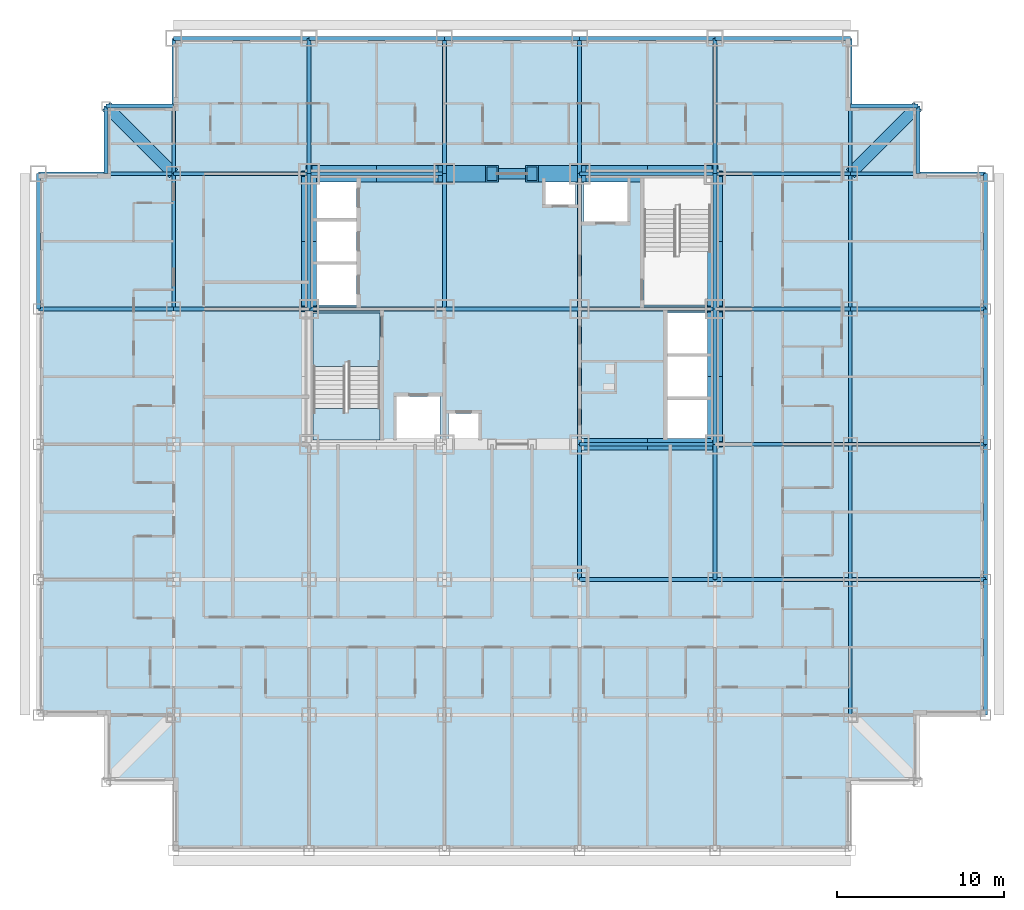
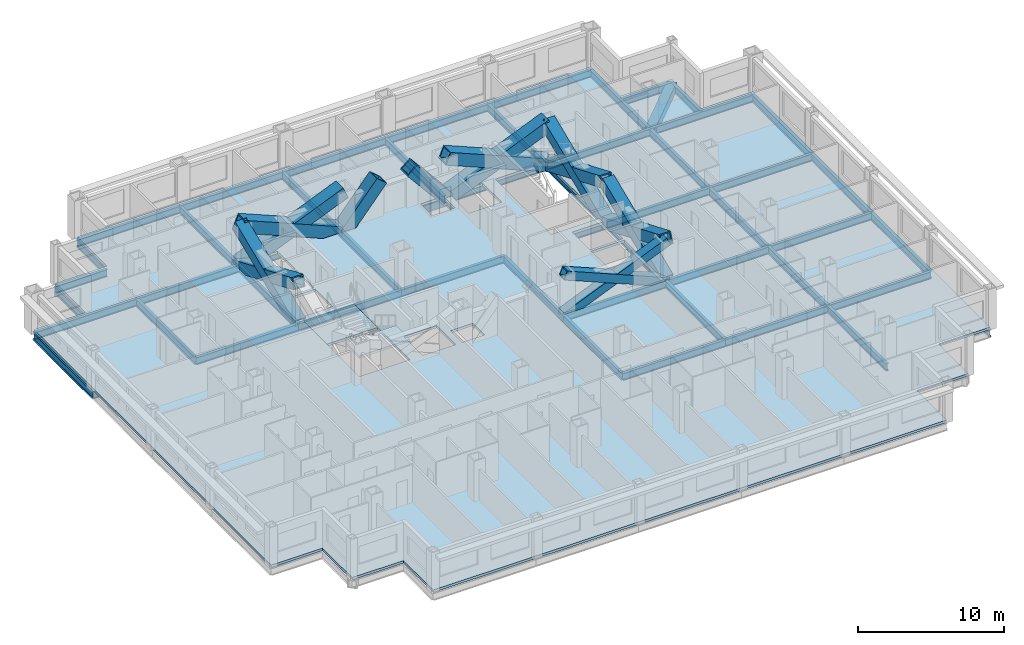
# One storey, part 2 of 13: 55 beams, 14 members, 3 slabs, 1 element without a shape of its own.
"""IFC4 building model written with IfcOpenShell, lengths in metres."""

from ifc_helpers import new_model, si_unit, direction, frame, origin, origin_2d, place, context, subcontext, project, spatial, polyline, hollow_rectangle, i_section, outline, extrude, material, layer, layer_set, material_profile, profile_set, type_object, element, aggregate, save


model = new_model("IFC4")

# Units and contexts
model_context = context("Model", 3, precision=1e-05, world=origin(), true_north=direction((0.0, 1.0)))
body_context = subcontext(model_context, "Body", "Model", "MODEL_VIEW")
ifc_project = project(units=[si_unit("LENGTHUNIT", "METRE"), si_unit("AREAUNIT", "SQUARE_METRE"), si_unit("VOLUMEUNIT", "CUBIC_METRE"), si_unit("PLANEANGLEUNIT", "RADIAN"), si_unit("MASSUNIT", "GRAM", prefix="KILO")], contexts=[model_context])

# Site, building, storey
site_placement = place(None, origin())
site = spatial("IfcSite", under=ifc_project, at=site_placement, CompositionType="ELEMENT")
building_placement = place(site_placement, origin())
building = spatial("IfcBuilding", under=site, at=building_placement, Name="Kopane Lantern Tower", CompositionType="ELEMENT")
storey_placement = place(building_placement, frame((0.0, 0.0, 63.60009765625)))
storey = spatial("IfcBuildingStorey", under=building, at=storey_placement, Name="L15", CompositionType="ELEMENT", Elevation=63.60009765625)

# Members
ifc_material_1 = material(Name="Steel S355JR", Category="steel")
ifc_material_profile_1 = material_profile(ifc_material_1, hollow_rectangle(XDim=1.0, YDim=1.0, WallThickness=0.10009765625, at=origin_2d()), Name="BOX 1000x1000x100")
ifc_profile_set_1 = profile_set([ifc_material_profile_1], Name="Steel S355JR")
member_type_1 = type_object("IfcMemberType", Name="BRACE BOX 1000x1000x100", PredefinedType="BRACE", material=ifc_profile_set_1)
for number, where, z_axis, x_axis, name in (
    (1, (16.199951171875, 40.5, -0.210205078125), (0.92205908274, 0.0, 0.387049154419), (0.0, 1.0, 0.0), "Core brace L15"),
    (2, (24.300048828125, 40.5, -0.210205078125), (-0.92205908274, 0.0, 0.387049154419), (0.0, -1.0, 0.0), "Core brace L15"),
):
    element("IfcMember", number, at=place(storey_placement, frame(where, z_axis=z_axis, x_axis=x_axis)), inside=storey, type_object=member_type_1, Name=name, PredefinedType="BRACE", context=body_context, shape_type="SweptSolid", body=[
        extrude(hollow_rectangle(XDim=1.0, YDim=1.0, WallThickness=0.10009765625, at=origin_2d()), origin(), (0.0, 0.0, 1.0), 8.784912109375),
    ])
for number, where, z_axis, x_axis, name in (
    (3, (24.300048828125, 40.5, -0.210205078125), (0.642363165114, 0.0, 0.766400394118), (0.0, 1.0, 0.0), "Core brace L15"),
    (4, (32.39990234375, 40.5, -0.210205078125), (-0.642363165114, 0.0, 0.766400394118), (0.0, -1.0, 0.0), "Core brace L15"),
):
    element("IfcMember", number, at=place(storey_placement, frame(where, z_axis=z_axis, x_axis=x_axis)), inside=storey, type_object=member_type_1, Name=name, PredefinedType="BRACE", context=body_context, shape_type="SweptSolid", body=[
        extrude(hollow_rectangle(XDim=1.0, YDim=1.0, WallThickness=0.10009765625, at=origin_2d()), origin(), (0.0, 0.0, 1.0), 4.4365234375),
    ])
for number, where, z_axis, x_axis, name in (
    (5, (32.39990234375, 40.5, -0.210205078125), (0.92205908274, 0.0, 0.387049154419), (0.0, 1.0, 0.0), "Core brace L15"),
    (6, (40.5, 40.5, -0.210205078125), (-0.92205908274, 0.0, 0.387049154419), (0.0, -1.0, 0.0), "Core brace L15"),
):
    element("IfcMember", number, at=place(storey_placement, frame(where, z_axis=z_axis, x_axis=x_axis)), inside=storey, type_object=member_type_1, Name=name, PredefinedType="BRACE", context=body_context, shape_type="SweptSolid", body=[
        extrude(hollow_rectangle(XDim=1.0, YDim=1.0, WallThickness=0.10009765625, at=origin_2d()), origin(), (0.0, 0.0, 1.0), 8.784912109375),
    ])
ifc_material_2 = material(Name="Steel S355JR", Category="steel")
ifc_material_profile_2 = material_profile(ifc_material_2, hollow_rectangle(XDim=0.699951171875, YDim=0.699951171875, WallThickness=0.06005859375, at=origin_2d()), Name="BOX 700x700x60")
ifc_profile_set_2 = profile_set([ifc_material_profile_2], Name="Steel S355JR")
member_type_2 = type_object("IfcMemberType", Name="BRACE BOX 700x700x60", PredefinedType="BRACE", material=ifc_profile_set_2)
for number, where, z_axis, x_axis, name in (
    (7, (32.39990234375, 24.300048828125, -0.210205078125), (0.92205908274, 0.0, 0.387049154419), (0.0, 1.0, 0.0), "Core brace L15"),
    (8, (40.5, 24.300048828125, -0.210205078125), (-0.92205908274, 0.0, 0.387049154419), (0.0, -1.0, 0.0), "Core brace L15"),
):
    element("IfcMember", number, at=place(storey_placement, frame(where, z_axis=z_axis, x_axis=x_axis)), inside=storey, type_object=member_type_2, Name=name, PredefinedType="BRACE", context=body_context, shape_type="SweptSolid", body=[
        extrude(hollow_rectangle(XDim=0.699951171875, YDim=0.699951171875, WallThickness=0.06005859375, at=origin_2d()), origin(), (0.0, 0.0, 1.0), 8.784912109375),
    ])
ifc_material_3 = material(Name="Steel S355JR", Category="steel")
ifc_material_profile_3 = material_profile(ifc_material_3, hollow_rectangle(XDim=0.89990234375, YDim=0.89990234375, WallThickness=0.090087890625, at=origin_2d()), Name="BOX 900x900x90")
ifc_profile_set_3 = profile_set([ifc_material_profile_3], Name="Steel S355JR")
member_type_3 = type_object("IfcMemberType", Name="BRACE BOX 900x900x90", PredefinedType="BRACE", material=ifc_profile_set_3)
for number, where, z_axis, x_axis, name in (
    (9, (16.199951171875, 32.39990234375, -0.210205078125), (0.0, 0.92205908274, 0.387049154419), (-1.0, 0.0, 0.0), "Core brace L15"),
    (10, (16.199951171875, 40.5, -0.210205078125), (0.0, -0.92205908274, 0.387049154419), (1.0, 0.0, 0.0), "Core brace L15"),
):
    element("IfcMember", number, at=place(storey_placement, frame(where, z_axis=z_axis, x_axis=x_axis)), inside=storey, type_object=member_type_3, Name=name, PredefinedType="BRACE", context=body_context, shape_type="SweptSolid", body=[
        extrude(hollow_rectangle(XDim=0.89990234375, YDim=0.89990234375, WallThickness=0.090087890625, at=origin_2d()), origin(), (0.0, 0.0, 1.0), 8.784912109375),
    ])
for number, where, z_axis, x_axis, name in (
    (11, (40.5, 24.300048828125, -0.210205078125), (0.0, 0.92205491925, 0.387059072864), (-1.0, 0.0, 0.0), "Core brace L15"),
    (12, (40.5, 32.39990234375, -0.210205078125), (0.0, -0.92205491925, 0.387059072864), (1.0, 0.0, 0.0), "Core brace L15"),
):
    element("IfcMember", number, at=place(storey_placement, frame(where, z_axis=z_axis, x_axis=x_axis)), inside=storey, type_object=member_type_3, Name=name, PredefinedType="BRACE", context=body_context, shape_type="SweptSolid", body=[
        extrude(hollow_rectangle(XDim=0.89990234375, YDim=0.89990234375, WallThickness=0.090087890625, at=origin_2d()), origin(), (0.0, 0.0, 1.0), 8.78466796875),
    ])
for number, where, z_axis, x_axis, name in (
    (13, (40.5, 32.39990234375, -0.210205078125), (0.0, 0.92205908274, 0.387049154419), (-1.0, 0.0, 0.0), "Core brace L15"),
    (14, (40.5, 40.5, -0.210205078125), (0.0, -0.92205908274, 0.387049154419), (1.0, 0.0, 0.0), "Core brace L15"),
):
    element("IfcMember", number, at=place(storey_placement, frame(where, z_axis=z_axis, x_axis=x_axis)), inside=storey, type_object=member_type_3, Name=name, PredefinedType="BRACE", context=body_context, shape_type="SweptSolid", body=[
        extrude(hollow_rectangle(XDim=0.89990234375, YDim=0.89990234375, WallThickness=0.090087890625, at=origin_2d()), origin(), (0.0, 0.0, 1.0), 8.784912109375),
    ])

# Beams
ifc_material_4 = material(Name="Steel S355JR", Category="steel")
ifc_material_profile_4 = material_profile(ifc_material_4, i_section(OverallWidth=0.22900390625, OverallDepth=0.6123046875, WebThickness=0.011962890625, FlangeThickness=0.01953125, FilletRadius=0.0126953125, at=origin_2d()), Name="UB 610x229x125")
ifc_profile_set_4 = profile_set([ifc_material_profile_4], Name="Steel S355JR")
beam_type_1 = type_object("IfcBeamType", Name="CORE BEAM UB 610x229x125", PredefinedType="BEAM", material=ifc_profile_set_4)
for number, where, z_axis, x_axis, name in (
    (15, (16.199951171875, 32.39990234375, -0.51611328125), (1.0, 0.0, 0.0), (0.0, 1.0, 0.0), "Core Beam L15"),
    (16, (24.300048828125, 32.39990234375, -0.51611328125), (0.0, 1.0, 0.0), (-1.0, 0.0, 0.0), "Core Beam L15"),
):
    element("IfcBeam", number, at=place(storey_placement, frame(where, z_axis=z_axis, x_axis=x_axis)), inside=storey, type_object=beam_type_1, Name=name, PredefinedType="BEAM", context=body_context, shape_type="SweptSolid", body=[
        extrude(i_section(OverallWidth=0.22900390625, OverallDepth=0.6123046875, WebThickness=0.011962890625, FlangeThickness=0.01953125, FilletRadius=0.0126953125, at=origin_2d()), origin(), (0.0, 0.0, 1.0), 8.10009765625),
    ])
for number, where, z_axis, x_axis, name in (
    (17, (24.300048828125, 32.39990234375, -0.51611328125), (1.0, 0.0, 0.0), (0.0, 1.0, 0.0), "Core Beam L15"),
    (18, (32.39990234375, 24.300048828125, -0.51611328125), (0.0, 1.0, 0.0), (-1.0, 0.0, 0.0), "Core Beam L15"),
):
    element("IfcBeam", number, at=place(storey_placement, frame(where, z_axis=z_axis, x_axis=x_axis)), inside=storey, type_object=beam_type_1, Name=name, PredefinedType="BEAM", context=body_context, shape_type="SweptSolid", body=[
        extrude(i_section(OverallWidth=0.22900390625, OverallDepth=0.6123046875, WebThickness=0.011962890625, FlangeThickness=0.01953125, FilletRadius=0.0126953125, at=origin_2d()), origin(), (0.0, 0.0, 1.0), 8.099853515625),
    ])
for number, where, z_axis, x_axis, name in (
    (19, (32.39990234375, 32.39990234375, -0.51611328125), (0.0, 1.0, 0.0), (-1.0, 0.0, 0.0), "Core Beam L15"),
    (20, (32.39990234375, 32.39990234375, -0.51611328125), (1.0, 0.0, 0.0), (0.0, 1.0, 0.0), "Core Beam L15"),
):
    element("IfcBeam", number, at=place(storey_placement, frame(where, z_axis=z_axis, x_axis=x_axis)), inside=storey, type_object=beam_type_1, Name=name, PredefinedType="BEAM", context=body_context, shape_type="SweptSolid", body=[
        extrude(i_section(OverallWidth=0.22900390625, OverallDepth=0.6123046875, WebThickness=0.011962890625, FlangeThickness=0.01953125, FilletRadius=0.0126953125, at=origin_2d()), origin(), (0.0, 0.0, 1.0), 8.10009765625),
    ])
ifc_material_5 = material(Name="Steel S355JR", Category="steel")
ifc_material_profile_5 = material_profile(ifc_material_5, hollow_rectangle(XDim=0.699951171875, YDim=0.699951171875, WallThickness=0.06005859375, at=origin_2d()), Name="BOX 700x700x60")
ifc_profile_set_5 = profile_set([ifc_material_profile_5], Name="Steel S355JR")
beam_type_2 = type_object("IfcBeamType", Name="CORNER TIE BEAM BOX 700x700x60", PredefinedType="BEAM", material=ifc_profile_set_5)
for number, where, z_axis, x_axis, name in (
    (21, (4.050048828125, 44.550048828125, -0.56005859375), (0.707106781187, -0.707106781187, 0.0), (0.707106781187, 0.707106781187, 0.0), "Corner Tie Beam L15"),
    (22, (52.64990234375, 44.550048828125, -0.56005859375), (-0.707085467703, -0.707128094028, 0.0), (0.707128094028, -0.707085467703, 0.0), "Corner Tie Beam L15"),
):
    element("IfcBeam", number, at=place(storey_placement, frame(where, z_axis=z_axis, x_axis=x_axis)), inside=storey, type_object=beam_type_2, Name=name, PredefinedType="BEAM", context=body_context, shape_type="SweptSolid", body=[
        extrude(hollow_rectangle(XDim=0.699951171875, YDim=0.699951171875, WallThickness=0.06005859375, at=origin_2d()), origin(), (0.0, 0.0, 1.0), 5.7275390625),
    ])
ifc_material_6 = material(Name="Steel S355JR", Category="steel")
ifc_material_profile_6 = material_profile(ifc_material_6, i_section(OverallWidth=0.22900390625, OverallDepth=0.6123046875, WebThickness=0.011962890625, FlangeThickness=0.01953125, FilletRadius=0.0126953125, at=origin_2d()), Name="UB 610x229x125")
ifc_profile_set_6 = profile_set([ifc_material_profile_6], Name="Steel S355JR")
beam_type_3 = type_object("IfcBeamType", Name="EDGE BEAM UB 610x229x125", PredefinedType="BEAM", material=ifc_profile_set_6)
for number, where, z_axis, x_axis, name in (
    (23, (4.050048828125, 44.550048828125, -0.51611328125), (0.0, -1.0, 0.0), (1.0, 0.0, 0.0), "Edge Beam L15"),
    (24, (4.050048828125, 44.550048828125, -0.51611328125), (1.0, 0.0, 0.0), (0.0, 1.0, 0.0), "Edge Beam L15"),
):
    element("IfcBeam", number, at=place(storey_placement, frame(where, z_axis=z_axis, x_axis=x_axis)), inside=storey, type_object=beam_type_3, Name=name, PredefinedType="BEAM", context=body_context, shape_type="SweptSolid", body=[
        extrude(i_section(OverallWidth=0.22900390625, OverallDepth=0.6123046875, WebThickness=0.011962890625, FlangeThickness=0.01953125, FilletRadius=0.0126953125, at=origin_2d()), origin(), (0.0, 0.0, 1.0), 4.050048828125),
    ])
beam_1_placement = place(storey_placement, frame((52.64990234375, 44.550048828125, -0.51611328125), z_axis=(-1.0, 0.0, 0.0), x_axis=(0.0, -1.0, 0.0)))
element("IfcBeam", 25, at=beam_1_placement, inside=storey, type_object=beam_type_3, Name="Edge Beam L15", PredefinedType="BEAM", context=body_context, shape_type="SweptSolid", body=[
    extrude(i_section(OverallWidth=0.22900390625, OverallDepth=0.6123046875, WebThickness=0.011962890625, FlangeThickness=0.01953125, FilletRadius=0.0126953125, at=origin_2d()), origin(), (0.0, 0.0, 1.0), 4.0498046875),
])
beam_2_placement = place(storey_placement, frame((52.64990234375, 44.550048828125, -0.51611328125), z_axis=(0.0, -1.0, 0.0), x_axis=(1.0, 0.0, 0.0)))
element("IfcBeam", 26, at=beam_2_placement, inside=storey, type_object=beam_type_3, Name="Edge Beam L15", PredefinedType="BEAM", context=body_context, shape_type="SweptSolid", body=[
    extrude(i_section(OverallWidth=0.22900390625, OverallDepth=0.6123046875, WebThickness=0.011962890625, FlangeThickness=0.01953125, FilletRadius=0.0126953125, at=origin_2d()), origin(), (0.0, 0.0, 1.0), 4.050048828125),
])
ifc_material_7 = material(Name="Steel S355JR", Category="steel")
ifc_material_profile_7 = material_profile(ifc_material_7, i_section(OverallWidth=0.22900390625, OverallDepth=0.6123046875, WebThickness=0.011962890625, FlangeThickness=0.01953125, FilletRadius=0.0126953125, at=origin_2d()), Name="UB 610x229x125")
ifc_profile_set_7 = profile_set([ifc_material_profile_7], Name="Steel S355JR")
beam_type_4 = type_object("IfcBeamType", Name="GIRDER UB 610x229x125", PredefinedType="BEAM", material=ifc_profile_set_7)
for number, where, z_axis, x_axis, name in (
    (27, (0.0, 32.39990234375, -0.51611328125), (0.0, 1.0, 0.0), (-1.0, 0.0, 0.0), "Girder L15"),
    (28, (0.0, 32.39990234375, -0.51611328125), (1.0, 0.0, 0.0), (0.0, 1.0, 0.0), "Girder L15"),
    (29, (0.0, 40.5, -0.51611328125), (1.0, 0.0, 0.0), (0.0, 1.0, 0.0), "Girder L15"),
    (30, (8.10009765625, 32.39990234375, -0.51611328125), (0.0, 1.0, 0.0), (-1.0, 0.0, 0.0), "Girder L15"),
):
    element("IfcBeam", number, at=place(storey_placement, frame(where, z_axis=z_axis, x_axis=x_axis)), inside=storey, type_object=beam_type_4, Name=name, PredefinedType="BEAM", context=body_context, shape_type="SweptSolid", body=[
        extrude(i_section(OverallWidth=0.22900390625, OverallDepth=0.6123046875, WebThickness=0.011962890625, FlangeThickness=0.01953125, FilletRadius=0.0126953125, at=origin_2d()), origin(), (0.0, 0.0, 1.0), 8.10009765625),
    ])
beam_3_placement = place(storey_placement, frame((8.10009765625, 32.39990234375, -0.51611328125), z_axis=(1.0, 0.0, 0.0), x_axis=(0.0, 1.0, 0.0)))
element("IfcBeam", 31, at=beam_3_placement, inside=storey, type_object=beam_type_4, Name="Girder L15", PredefinedType="BEAM", context=body_context, shape_type="SweptSolid", body=[
    extrude(i_section(OverallWidth=0.22900390625, OverallDepth=0.6123046875, WebThickness=0.011962890625, FlangeThickness=0.01953125, FilletRadius=0.0126953125, at=origin_2d()), origin(), (0.0, 0.0, 1.0), 8.099853515625),
])
beam_4_placement = place(storey_placement, frame((8.10009765625, 40.5, -0.51611328125), z_axis=(0.0, 1.0, 0.0), x_axis=(-1.0, 0.0, 0.0)))
element("IfcBeam", 32, at=beam_4_placement, inside=storey, type_object=beam_type_4, Name="Girder L15", PredefinedType="BEAM", context=body_context, shape_type="SweptSolid", body=[
    extrude(i_section(OverallWidth=0.22900390625, OverallDepth=0.6123046875, WebThickness=0.011962890625, FlangeThickness=0.01953125, FilletRadius=0.0126953125, at=origin_2d()), origin(), (0.0, 0.0, 1.0), 8.10009765625),
])
for number, where, z_axis, x_axis, name in (
    (33, (8.10009765625, 40.5, -0.51611328125), (1.0, 0.0, 0.0), (0.0, 1.0, 0.0), "Girder L15"),
    (34, (8.10009765625, 48.60009765625, -0.51611328125), (1.0, 0.0, 0.0), (0.0, 1.0, 0.0), "Girder L15"),
):
    element("IfcBeam", number, at=place(storey_placement, frame(where, z_axis=z_axis, x_axis=x_axis)), inside=storey, type_object=beam_type_4, Name=name, PredefinedType="BEAM", context=body_context, shape_type="SweptSolid", body=[
        extrude(i_section(OverallWidth=0.22900390625, OverallDepth=0.6123046875, WebThickness=0.011962890625, FlangeThickness=0.01953125, FilletRadius=0.0126953125, at=origin_2d()), origin(), (0.0, 0.0, 1.0), 8.099853515625),
    ])
for number, where, z_axis, x_axis, name in (
    (35, (16.199951171875, 32.39990234375, -0.51611328125), (0.0, 1.0, 0.0), (-1.0, 0.0, 0.0), "Girder L15"),
    (36, (16.199951171875, 40.5, -0.51611328125), (0.0, 1.0, 0.0), (-1.0, 0.0, 0.0), "Girder L15"),
    (37, (16.199951171875, 40.5, -0.51611328125), (1.0, 0.0, 0.0), (0.0, 1.0, 0.0), "Girder L15"),
    (38, (16.199951171875, 48.60009765625, -0.51611328125), (1.0, 0.0, 0.0), (0.0, 1.0, 0.0), "Girder L15"),
    (39, (24.300048828125, 40.5, -0.51611328125), (0.0, 1.0, 0.0), (-1.0, 0.0, 0.0), "Girder L15"),
):
    element("IfcBeam", number, at=place(storey_placement, frame(where, z_axis=z_axis, x_axis=x_axis)), inside=storey, type_object=beam_type_4, Name=name, PredefinedType="BEAM", context=body_context, shape_type="SweptSolid", body=[
        extrude(i_section(OverallWidth=0.22900390625, OverallDepth=0.6123046875, WebThickness=0.011962890625, FlangeThickness=0.01953125, FilletRadius=0.0126953125, at=origin_2d()), origin(), (0.0, 0.0, 1.0), 8.10009765625),
    ])
beam_5_placement = place(storey_placement, frame((24.300048828125, 48.60009765625, -0.51611328125), z_axis=(1.0, 0.0, 0.0), x_axis=(0.0, 1.0, 0.0)))
element("IfcBeam", 40, at=beam_5_placement, inside=storey, type_object=beam_type_4, Name="Girder L15", PredefinedType="BEAM", context=body_context, shape_type="SweptSolid", body=[
    extrude(i_section(OverallWidth=0.22900390625, OverallDepth=0.6123046875, WebThickness=0.011962890625, FlangeThickness=0.01953125, FilletRadius=0.0126953125, at=origin_2d()), origin(), (0.0, 0.0, 1.0), 8.099853515625),
])
for number, where, z_axis, x_axis, name in (
    (41, (32.39990234375, 16.199951171875, -0.51611328125), (0.0, 1.0, 0.0), (-1.0, 0.0, 0.0), "Girder L15"),
    (42, (32.39990234375, 16.199951171875, -0.51611328125), (1.0, 0.0, 0.0), (0.0, 1.0, 0.0), "Girder L15"),
    (43, (32.39990234375, 24.300048828125, -0.51611328125), (1.0, 0.0, 0.0), (0.0, 1.0, 0.0), "Girder L15"),
    (44, (32.39990234375, 40.5, -0.51611328125), (0.0, 1.0, 0.0), (-1.0, 0.0, 0.0), "Girder L15"),
    (45, (32.39990234375, 40.5, -0.51611328125), (1.0, 0.0, 0.0), (0.0, 1.0, 0.0), "Girder L15"),
    (46, (32.39990234375, 48.60009765625, -0.51611328125), (1.0, 0.0, 0.0), (0.0, 1.0, 0.0), "Girder L15"),
    (47, (40.5, 16.199951171875, -0.51611328125), (0.0, 1.0, 0.0), (-1.0, 0.0, 0.0), "Girder L15"),
    (48, (40.5, 16.199951171875, -0.51611328125), (1.0, 0.0, 0.0), (0.0, 1.0, 0.0), "Girder L15"),
):
    element("IfcBeam", number, at=place(storey_placement, frame(where, z_axis=z_axis, x_axis=x_axis)), inside=storey, type_object=beam_type_4, Name=name, PredefinedType="BEAM", context=body_context, shape_type="SweptSolid", body=[
        extrude(i_section(OverallWidth=0.22900390625, OverallDepth=0.6123046875, WebThickness=0.011962890625, FlangeThickness=0.01953125, FilletRadius=0.0126953125, at=origin_2d()), origin(), (0.0, 0.0, 1.0), 8.10009765625),
    ])
beam_6_placement = place(storey_placement, frame((40.5, 24.300048828125, -0.51611328125), z_axis=(0.0, 1.0, 0.0), x_axis=(-1.0, 0.0, 0.0)))
element("IfcBeam", 49, at=beam_6_placement, inside=storey, type_object=beam_type_4, Name="Girder L15", PredefinedType="BEAM", context=body_context, shape_type="SweptSolid", body=[
    extrude(i_section(OverallWidth=0.22900390625, OverallDepth=0.6123046875, WebThickness=0.011962890625, FlangeThickness=0.01953125, FilletRadius=0.0126953125, at=origin_2d()), origin(), (0.0, 0.0, 1.0), 8.099853515625),
])
for number, where, z_axis, x_axis, name in (
    (50, (40.5, 24.300048828125, -0.51611328125), (1.0, 0.0, 0.0), (0.0, 1.0, 0.0), "Girder L15"),
    (51, (40.5, 32.39990234375, -0.51611328125), (0.0, 1.0, 0.0), (-1.0, 0.0, 0.0), "Girder L15"),
    (52, (40.5, 32.39990234375, -0.51611328125), (1.0, 0.0, 0.0), (0.0, 1.0, 0.0), "Girder L15"),
    (53, (40.5, 40.5, -0.51611328125), (0.0, 1.0, 0.0), (-1.0, 0.0, 0.0), "Girder L15"),
    (54, (40.5, 40.5, -0.51611328125), (1.0, 0.0, 0.0), (0.0, 1.0, 0.0), "Girder L15"),
    (55, (40.5, 48.60009765625, -0.51611328125), (1.0, 0.0, 0.0), (0.0, 1.0, 0.0), "Girder L15"),
):
    element("IfcBeam", number, at=place(storey_placement, frame(where, z_axis=z_axis, x_axis=x_axis)), inside=storey, type_object=beam_type_4, Name=name, PredefinedType="BEAM", context=body_context, shape_type="SweptSolid", body=[
        extrude(i_section(OverallWidth=0.22900390625, OverallDepth=0.6123046875, WebThickness=0.011962890625, FlangeThickness=0.01953125, FilletRadius=0.0126953125, at=origin_2d()), origin(), (0.0, 0.0, 1.0), 8.10009765625),
    ])
beam_7_placement = place(storey_placement, frame((48.60009765625, 8.10009765625, -0.51611328125), z_axis=(0.0, 1.0, 0.0), x_axis=(-1.0, 0.0, 0.0)))
element("IfcBeam", 56, at=beam_7_placement, inside=storey, type_object=beam_type_4, Name="Girder L15", PredefinedType="BEAM", context=body_context, shape_type="SweptSolid", body=[
    extrude(i_section(OverallWidth=0.22900390625, OverallDepth=0.6123046875, WebThickness=0.011962890625, FlangeThickness=0.01953125, FilletRadius=0.0126953125, at=origin_2d()), origin(), (0.0, 0.0, 1.0), 8.099853515625),
])
beam_8_placement = place(storey_placement, frame((48.60009765625, 16.199951171875, -0.51611328125), z_axis=(0.0, 1.0, 0.0), x_axis=(-1.0, 0.0, 0.0)))
element("IfcBeam", 57, at=beam_8_placement, inside=storey, type_object=beam_type_4, Name="Girder L15", PredefinedType="BEAM", context=body_context, shape_type="SweptSolid", body=[
    extrude(i_section(OverallWidth=0.22900390625, OverallDepth=0.6123046875, WebThickness=0.011962890625, FlangeThickness=0.01953125, FilletRadius=0.0126953125, at=origin_2d()), origin(), (0.0, 0.0, 1.0), 8.10009765625),
])
for number, where, z_axis, x_axis, name in (
    (58, (48.60009765625, 16.199951171875, -0.51611328125), (1.0, 0.0, 0.0), (0.0, 1.0, 0.0), "Girder L15"),
    (59, (48.60009765625, 24.300048828125, -0.51611328125), (0.0, 1.0, 0.0), (-1.0, 0.0, 0.0), "Girder L15"),
    (60, (48.60009765625, 24.300048828125, -0.51611328125), (1.0, 0.0, 0.0), (0.0, 1.0, 0.0), "Girder L15"),
):
    element("IfcBeam", number, at=place(storey_placement, frame(where, z_axis=z_axis, x_axis=x_axis)), inside=storey, type_object=beam_type_4, Name=name, PredefinedType="BEAM", context=body_context, shape_type="SweptSolid", body=[
        extrude(i_section(OverallWidth=0.22900390625, OverallDepth=0.6123046875, WebThickness=0.011962890625, FlangeThickness=0.01953125, FilletRadius=0.0126953125, at=origin_2d()), origin(), (0.0, 0.0, 1.0), 8.099853515625),
    ])
beam_9_placement = place(storey_placement, frame((48.60009765625, 32.39990234375, -0.51611328125), z_axis=(0.0, 1.0, 0.0), x_axis=(-1.0, 0.0, 0.0)))
element("IfcBeam", 61, at=beam_9_placement, inside=storey, type_object=beam_type_4, Name="Girder L15", PredefinedType="BEAM", context=body_context, shape_type="SweptSolid", body=[
    extrude(i_section(OverallWidth=0.22900390625, OverallDepth=0.6123046875, WebThickness=0.011962890625, FlangeThickness=0.01953125, FilletRadius=0.0126953125, at=origin_2d()), origin(), (0.0, 0.0, 1.0), 8.10009765625),
])
beam_10_placement = place(storey_placement, frame((48.60009765625, 32.39990234375, -0.51611328125), z_axis=(1.0, 0.0, 0.0), x_axis=(0.0, 1.0, 0.0)))
element("IfcBeam", 62, at=beam_10_placement, inside=storey, type_object=beam_type_4, Name="Girder L15", PredefinedType="BEAM", context=body_context, shape_type="SweptSolid", body=[
    extrude(i_section(OverallWidth=0.22900390625, OverallDepth=0.6123046875, WebThickness=0.011962890625, FlangeThickness=0.01953125, FilletRadius=0.0126953125, at=origin_2d()), origin(), (0.0, 0.0, 1.0), 8.099853515625),
])
beam_11_placement = place(storey_placement, frame((48.60009765625, 40.5, -0.51611328125), z_axis=(0.0, 1.0, 0.0), x_axis=(-1.0, 0.0, 0.0)))
element("IfcBeam", 63, at=beam_11_placement, inside=storey, type_object=beam_type_4, Name="Girder L15", PredefinedType="BEAM", context=body_context, shape_type="SweptSolid", body=[
    extrude(i_section(OverallWidth=0.22900390625, OverallDepth=0.6123046875, WebThickness=0.011962890625, FlangeThickness=0.01953125, FilletRadius=0.0126953125, at=origin_2d()), origin(), (0.0, 0.0, 1.0), 8.10009765625),
])
for number, where, z_axis, x_axis, name in (
    (64, (48.60009765625, 40.5, -0.51611328125), (1.0, 0.0, 0.0), (0.0, 1.0, 0.0), "Girder L15"),
    (65, (56.699951171875, 8.10009765625, -0.51611328125), (0.0, 1.0, 0.0), (-1.0, 0.0, 0.0), "Girder L15"),
):
    element("IfcBeam", number, at=place(storey_placement, frame(where, z_axis=z_axis, x_axis=x_axis)), inside=storey, type_object=beam_type_4, Name=name, PredefinedType="BEAM", context=body_context, shape_type="SweptSolid", body=[
        extrude(i_section(OverallWidth=0.22900390625, OverallDepth=0.6123046875, WebThickness=0.011962890625, FlangeThickness=0.01953125, FilletRadius=0.0126953125, at=origin_2d()), origin(), (0.0, 0.0, 1.0), 8.099853515625),
    ])
beam_12_placement = place(storey_placement, frame((56.699951171875, 16.199951171875, -0.51611328125), z_axis=(0.0, 1.0, 0.0), x_axis=(-1.0, 0.0, 0.0)))
element("IfcBeam", 66, at=beam_12_placement, inside=storey, type_object=beam_type_4, Name="Girder L15", PredefinedType="BEAM", context=body_context, shape_type="SweptSolid", body=[
    extrude(i_section(OverallWidth=0.22900390625, OverallDepth=0.6123046875, WebThickness=0.011962890625, FlangeThickness=0.01953125, FilletRadius=0.0126953125, at=origin_2d()), origin(), (0.0, 0.0, 1.0), 8.10009765625),
])
beam_13_placement = place(storey_placement, frame((56.699951171875, 24.300048828125, -0.51611328125), z_axis=(0.0, 1.0, 0.0), x_axis=(-1.0, 0.0, 0.0)))
element("IfcBeam", 67, at=beam_13_placement, inside=storey, type_object=beam_type_4, Name="Girder L15", PredefinedType="BEAM", context=body_context, shape_type="SweptSolid", body=[
    extrude(i_section(OverallWidth=0.22900390625, OverallDepth=0.6123046875, WebThickness=0.011962890625, FlangeThickness=0.01953125, FilletRadius=0.0126953125, at=origin_2d()), origin(), (0.0, 0.0, 1.0), 8.099853515625),
])
beam_14_placement = place(storey_placement, frame((56.699951171875, 32.39990234375, -0.51611328125), z_axis=(0.0, 1.0, 0.0), x_axis=(-1.0, 0.0, 0.0)))
element("IfcBeam", 68, at=beam_14_placement, inside=storey, type_object=beam_type_4, Name="Girder L15", PredefinedType="BEAM", context=body_context, shape_type="SweptSolid", body=[
    extrude(i_section(OverallWidth=0.22900390625, OverallDepth=0.6123046875, WebThickness=0.011962890625, FlangeThickness=0.01953125, FilletRadius=0.0126953125, at=origin_2d()), origin(), (0.0, 0.0, 1.0), 8.10009765625),
])
ifc_material_8 = material(Name="Steel S355JR", Category="steel")
ifc_material_profile_8 = material_profile(ifc_material_8, hollow_rectangle(XDim=0.64990234375, YDim=0.64990234375, WallThickness=0.070068359375, at=origin_2d()), Name="BOX 650x650x70")
ifc_profile_set_8 = profile_set([ifc_material_profile_8], Name="Steel S355JR")
beam_type_5 = type_object("IfcBeamType", Name="LINK BEAM BOX 650x650x70", PredefinedType="BEAM", material=ifc_profile_set_8)
beam_15_placement = place(storey_placement, frame((24.300048828125, 40.5, -0.53515625), z_axis=(1.0, 0.0, 0.0), x_axis=(0.0, 1.0, 0.0)))
element("IfcBeam", 69, at=beam_15_placement, inside=storey, type_object=beam_type_5, Name="Link Beam L15", PredefinedType="BEAM", context=body_context, shape_type="SweptSolid", body=[
    extrude(hollow_rectangle(XDim=0.64990234375, YDim=0.64990234375, WallThickness=0.070068359375, at=origin_2d()), origin(), (0.0, 0.0, 1.0), 8.099853515625),
])

# Slab
ifc_material_9 = material(Name="Concrete C40/50", Category="concrete")
ifc_layer_1 = layer(ifc_material_9, 0.2099609375)
ifc_layer_set_1 = layer_set([ifc_layer_1], Name="SLAB 210 COMPOSITE")
slab_type_1 = type_object("IfcSlabType", Name="SLAB 210 COMPOSITE", PredefinedType="FLOOR", material=ifc_layer_set_1)
slab_1_placement = place(storey_placement, frame((0.0, 0.0, -0.210205078125)))
element("IfcSlab", 70, at=slab_1_placement, inside=storey, type_object=slab_type_1, Name="Floor slab L15", PredefinedType="FLOOR", context=body_context, shape_type="SweptSolid", body=[
    extrude(outline(polyline([(8.10009765625, 0.0), (48.60009765625, 0.0), (48.60009765625, 4.050048828125), (52.64990234375, 4.050048828125), (52.64990234375, 8.10009765625), (56.699951171875, 8.10009765625), (56.699951171875, 40.5), (52.64990234375, 40.5), (52.64990234375, 44.550048828125), (48.60009765625, 44.550048828125), (48.60009765625, 48.60009765625), (8.10009765625, 48.60009765625), (8.10009765625, 44.550048828125), (4.050048828125, 44.550048828125), (4.050048828125, 40.5), (0.0, 40.5), (0.0, 8.10009765625), (4.050048828125, 8.10009765625), (4.050048828125, 4.050048828125), (8.10009765625, 4.050048828125), (8.10009765625, 0.0)]), holes=[polyline([(16.449951171875, 24.550048828125), (20.449951171875, 24.550048828125), (20.449951171875, 32.14990234375), (16.449951171875, 32.14990234375), (16.449951171875, 24.550048828125)]), polyline([(36.25, 32.64990234375), (40.25, 32.64990234375), (40.25, 40.25), (36.25, 40.25), (36.25, 32.64990234375)]), polyline([(16.449951171875, 32.64990234375), (19.050048828125, 32.64990234375), (19.050048828125, 35.050048828125), (16.449951171875, 35.050048828125), (16.449951171875, 32.64990234375)]), polyline([(16.449951171875, 35.25), (19.050048828125, 35.25), (19.050048828125, 37.64990234375), (16.449951171875, 37.64990234375), (16.449951171875, 35.25)]), polyline([(16.449951171875, 37.85009765625), (19.050048828125, 37.85009765625), (19.050048828125, 40.25), (16.449951171875, 40.25), (16.449951171875, 37.85009765625)]), polyline([(37.64990234375, 24.550048828125), (40.25, 24.550048828125), (40.25, 26.949951171875), (37.64990234375, 26.949951171875), (37.64990234375, 24.550048828125)]), polyline([(37.64990234375, 27.14990234375), (40.25, 27.14990234375), (40.25, 29.550048828125), (37.64990234375, 29.550048828125), (37.64990234375, 27.14990234375)]), polyline([(37.64990234375, 29.75), (40.25, 29.75), (40.25, 32.14990234375), (37.64990234375, 32.14990234375), (37.64990234375, 29.75)]), polyline([(21.449951171875, 24.550048828125), (24.050048828125, 24.550048828125), (24.050048828125, 27.14990234375), (21.449951171875, 27.14990234375), (21.449951171875, 24.550048828125)]), polyline([(32.64990234375, 37.64990234375), (35.25, 37.64990234375), (35.25, 40.25), (32.64990234375, 40.25), (32.64990234375, 37.64990234375)]), polyline([(24.550048828125, 24.550048828125), (26.35009765625, 24.550048828125), (26.35009765625, 26.14990234375), (24.550048828125, 26.14990234375), (24.550048828125, 24.550048828125)]), polyline([(30.35009765625, 38.64990234375), (32.14990234375, 38.64990234375), (32.14990234375, 40.25), (30.35009765625, 40.25), (30.35009765625, 38.64990234375)])]), origin(), (0.0, 0.0, 1.0), 0.210205078125),
])

# Stair, slabs
ifc_material_10 = material(Name="Steel S355JR", Category="steel")
stair_type = type_object("IfcStairType", Name="EXIT STAIR 1900 HALF TURN", PredefinedType="HALF_TURN_STAIR", material=ifc_material_10)
stair_placement = place(storey_placement, origin())
stair = element("IfcStair", 71, at=stair_placement, inside=storey, type_object=stair_type, Name="Exit stair ST1 L15", PredefinedType="HALF_TURN_STAIR")
ifc_material_11 = material(Name="Concrete C40/50", Category="concrete")
ifc_layer_2 = layer(ifc_material_11, 0.199951171875)
ifc_layer_set_2 = layer_set([ifc_layer_2], Name="STAIR LANDING 200")
slab_type_2 = type_object("IfcSlabType", Name="STAIR LANDING 200", PredefinedType="LANDING", material=ifc_layer_set_2)
slab_2_placement = place(storey_placement, frame((0.0, 0.0, -0.2001953125)))
slab_2 = element("IfcSlab", 72, at=slab_2_placement, type_object=slab_type_2, Name="ST1 landing 1", PredefinedType="LANDING", context=body_context, shape_type="SweptSolid", body=[
    extrude(outline(polyline([(18.35009765625, 29.25), (18.550048828125, 29.25), (18.550048828125, 28.969970703125), (20.449951171875, 28.969970703125), (20.449951171875, 32.14990234375), (16.449951171875, 32.14990234375), (16.449951171875, 28.969970703125), (18.35009765625, 28.969970703125), (18.35009765625, 29.25)])), origin(), (0.0, 0.0, 1.0), 0.2001953125),
])
slab_3_placement = place(storey_placement, frame((0.0, 0.0, 1.5)))
slab_3 = element("IfcSlab", 73, at=slab_3_placement, type_object=slab_type_2, Name="ST1 landing 2", PredefinedType="LANDING", context=body_context, shape_type="SweptSolid", body=[
    extrude(outline(polyline([(20.449951171875, 26.449951171875), (18.550048828125, 26.449951171875), (18.550048828125, 26.169921875), (18.35009765625, 26.169921875), (18.35009765625, 26.449951171875), (16.449951171875, 26.449951171875), (16.449951171875, 24.550048828125), (20.449951171875, 24.550048828125), (20.449951171875, 26.449951171875)])), origin(), (0.0, 0.0, 1.0), 0.199951171875),
])
aggregate(stair, [slab_2, slab_3])

save(model, "model.ifc")
